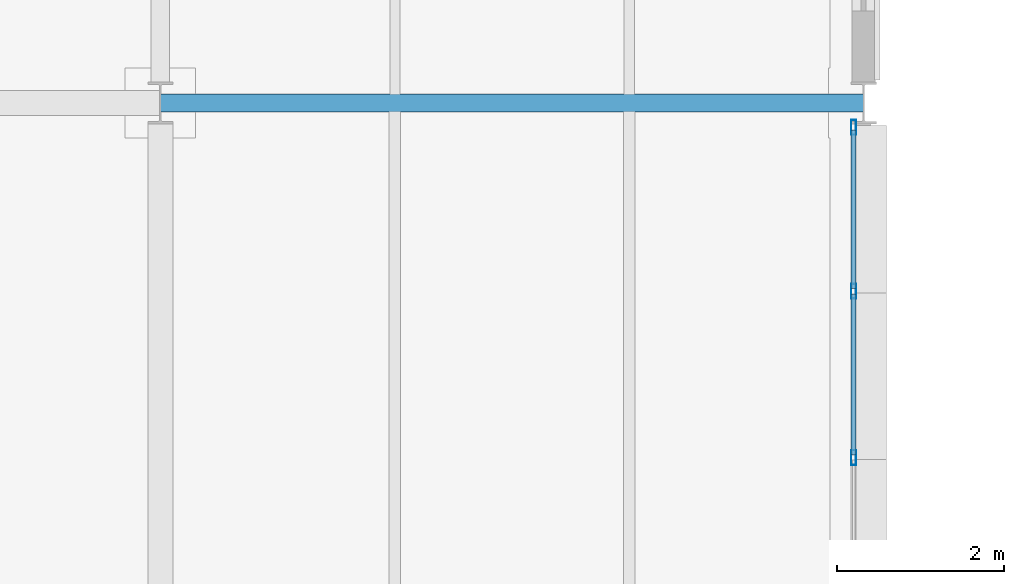
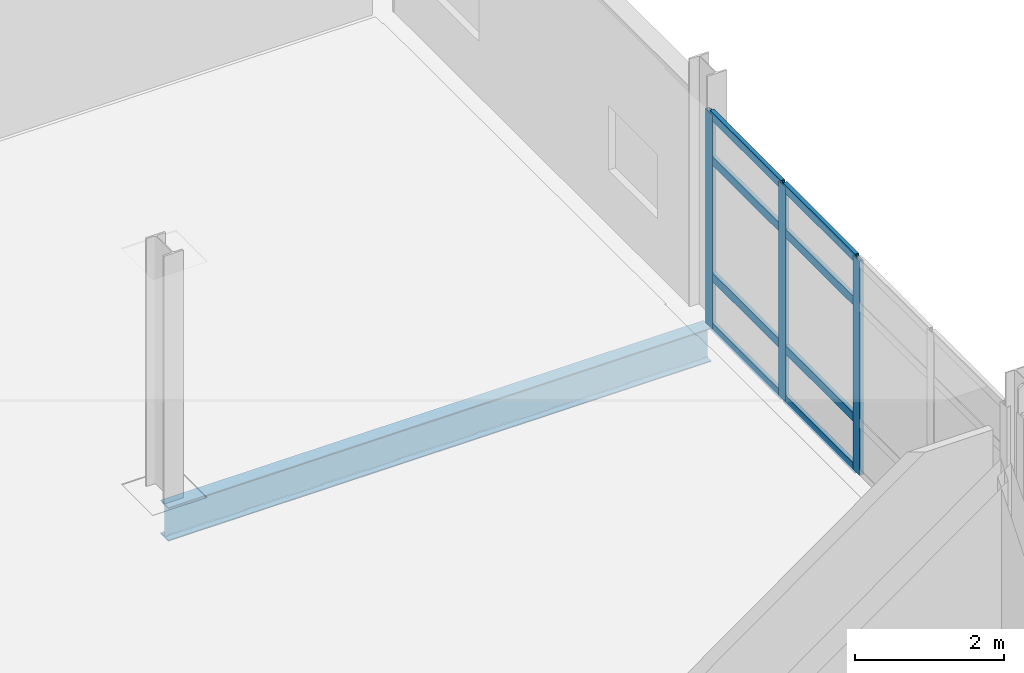
# One storey, part 74 of 131: 11 members, 1 beam, 1 element without a shape of its own.
"""IFC4 building model written with IfcOpenShell, lengths in metres."""

from ifc_helpers import new_model, si_unit, direction, frame, origin, origin_2d, place, context, subcontext, project, spatial, hollow_rectangle, i_section, extrude, material, material_profile, profile_set, type_object, element, aggregate, save


model = new_model("IFC4")

# Units and contexts
model_context = context("Model", 3, precision=1e-05, world=origin(), true_north=direction((0.0, 1.0)))
body_context = subcontext(model_context, "Body", "Model", "MODEL_VIEW")
ifc_project = project(units=[si_unit("LENGTHUNIT", "METRE"), si_unit("AREAUNIT", "SQUARE_METRE"), si_unit("VOLUMEUNIT", "CUBIC_METRE"), si_unit("PLANEANGLEUNIT", "RADIAN"), si_unit("MASSUNIT", "GRAM", prefix="KILO")], contexts=[model_context])

# Site, building, storey
site_placement = place(None, origin())
site = spatial("IfcSite", under=ifc_project, at=site_placement, CompositionType="ELEMENT")
building_placement = place(site_placement, origin())
building = spatial("IfcBuilding", under=site, at=building_placement, Name="Mersafa Astral City Hall", CompositionType="ELEMENT")
storey_placement = place(building_placement, frame((0.0, 0.0, 13.949951171875)))
storey = spatial("IfcBuildingStorey", under=building, at=storey_placement, Name="L03", CompositionType="ELEMENT", Elevation=13.949951171875)

# Curtain wall, members
ifc_material_1 = material(Name="Anodised bronze aluminium framing", Category="aluminium")
curtain_wall_type = type_object("IfcCurtainWallType", Name="ENV-CW-2", PredefinedType="USERDEFINED", material=ifc_material_1)
curtain_wall_placement = place(storey_placement, origin())
curtain_wall = element("IfcCurtainWall", 1, at=curtain_wall_placement, inside=storey, type_object=curtain_wall_type, Name="L03 Unitised solar curtain wall 157", ObjectType="UNITISED CURTAIN WALL", PredefinedType="USERDEFINED")
ifc_material_profile_1 = material_profile(ifc_material_1, hollow_rectangle(XDim=0.06005859375, YDim=0.179931640625, WallThickness=0.00390625, at=origin_2d()), Name="RHS 60x180x4")
ifc_profile_set_1 = profile_set([ifc_material_profile_1], Name="Anodised bronze aluminium framing")
member_type_1 = type_object("IfcMemberType", Name="ENV-CW-MUL-1", PredefinedType="MULLION", material=ifc_profile_set_1)
member_1_placement = place(storey_placement, frame((117.47998046875, 104.965087890625, -0.001953125), z_axis=(0.0, 0.0, 1.0), x_axis=(-1.0, 0.0, 0.0)))
member_1 = element("IfcMember", 2, at=member_1_placement, type_object=member_type_1, Name="CW-2 mullion 3", PredefinedType="MULLION", context=body_context, shape_type="SweptSolid", body=[
    extrude(hollow_rectangle(XDim=0.06005859375, YDim=0.179931640625, WallThickness=0.00390625, at=origin_2d()), origin(), (0.0, 0.0, 1.0), 3.50390625),
])
member_2_placement = place(storey_placement, frame((117.47998046875, 106.951416015625, -0.001953125), z_axis=(0.0, 0.0, 1.0), x_axis=(-1.0, 0.0, 0.0)))
member_2 = element("IfcMember", 3, at=member_2_placement, type_object=member_type_1, Name="CW-2 mullion 4", PredefinedType="MULLION", context=body_context, shape_type="SweptSolid", body=[
    extrude(hollow_rectangle(XDim=0.06005859375, YDim=0.179931640625, WallThickness=0.00390625, at=origin_2d()), origin(), (0.0, 0.0, 1.0), 3.50390625),
])
member_3_placement = place(storey_placement, frame((117.47998046875, 108.907958984375, -0.001953125), z_axis=(0.0, 0.0, 1.0), x_axis=(-1.0, 0.0, 0.0)))
member_3 = element("IfcMember", 4, at=member_3_placement, type_object=member_type_1, Name="CW-2 mullion 5", PredefinedType="MULLION", context=body_context, shape_type="SweptSolid", body=[
    extrude(hollow_rectangle(XDim=0.06005859375, YDim=0.179931640625, WallThickness=0.00390625, at=origin_2d()), origin(), (0.0, 0.0, 1.0), 3.50390625),
])
ifc_material_profile_2 = material_profile(ifc_material_1, hollow_rectangle(XDim=0.06005859375, YDim=0.139892578125, WallThickness=0.00390625, at=origin_2d()), Name="RHS 60x140x4")
ifc_profile_set_2 = profile_set([ifc_material_profile_2], Name="Anodised bronze aluminium framing")
member_type_2 = type_object("IfcMemberType", Name="ENV-CW-TRN-1", PredefinedType="USERDEFINED", material=ifc_profile_set_2)
member_4_placement = place(storey_placement, frame((117.47998046875, 104.9951171875, 0.028076171875), z_axis=(0.0, 1.0, 0.0), x_axis=(-1.0, 0.0, 0.0)))
member_4 = element("IfcMember", 5, at=member_4_placement, type_object=member_type_2, Name="CW-2 transom 3.1", ObjectType="TRANSOM", PredefinedType="USERDEFINED", context=body_context, shape_type="SweptSolid", body=[
    extrude(hollow_rectangle(XDim=0.06005859375, YDim=0.139892578125, WallThickness=0.00390625, at=origin_2d()), origin(), (0.0, 0.0, 1.0), 1.92626953125),
])
member_5_placement = place(storey_placement, frame((117.47998046875, 104.9951171875, 0.85009765625), z_axis=(0.0, 1.0, 0.0), x_axis=(-1.0, 0.0, 0.0)))
member_5 = element("IfcMember", 6, at=member_5_placement, type_object=member_type_2, Name="CW-2 transom 3.2", ObjectType="TRANSOM", PredefinedType="USERDEFINED", context=body_context, shape_type="SweptSolid", body=[
    extrude(hollow_rectangle(XDim=0.06005859375, YDim=0.139892578125, WallThickness=0.00390625, at=origin_2d()), origin(), (0.0, 0.0, 1.0), 1.92626953125),
])
member_6_placement = place(storey_placement, frame((117.47998046875, 104.9951171875, 2.75), z_axis=(0.0, 1.0, 0.0), x_axis=(-1.0, 0.0, 0.0)))
member_6 = element("IfcMember", 7, at=member_6_placement, type_object=member_type_2, Name="CW-2 transom 3.3", ObjectType="TRANSOM", PredefinedType="USERDEFINED", context=body_context, shape_type="SweptSolid", body=[
    extrude(hollow_rectangle(XDim=0.06005859375, YDim=0.139892578125, WallThickness=0.00390625, at=origin_2d()), origin(), (0.0, 0.0, 1.0), 1.92626953125),
])
member_7_placement = place(storey_placement, frame((117.47998046875, 104.9951171875, 3.47216796875), z_axis=(0.0, 1.0, 0.0), x_axis=(-1.0, 0.0, 0.0)))
member_7 = element("IfcMember", 8, at=member_7_placement, type_object=member_type_2, Name="CW-2 transom 3.4", ObjectType="TRANSOM", PredefinedType="USERDEFINED", context=body_context, shape_type="SweptSolid", body=[
    extrude(hollow_rectangle(XDim=0.06005859375, YDim=0.139892578125, WallThickness=0.00390625, at=origin_2d()), origin(), (0.0, 0.0, 1.0), 1.92626953125),
])
member_8_placement = place(storey_placement, frame((117.47998046875, 106.9814453125, 0.028076171875), z_axis=(0.0, 1.0, 0.0), x_axis=(-1.0, 0.0, 0.0)))
member_8 = element("IfcMember", 9, at=member_8_placement, type_object=member_type_2, Name="CW-2 transom 4.1", ObjectType="TRANSOM", PredefinedType="USERDEFINED", context=body_context, shape_type="SweptSolid", body=[
    extrude(hollow_rectangle(XDim=0.06005859375, YDim=0.139892578125, WallThickness=0.00390625, at=origin_2d()), origin(), (0.0, 0.0, 1.0), 1.896484375),
])
member_9_placement = place(storey_placement, frame((117.47998046875, 106.9814453125, 0.85009765625), z_axis=(0.0, 1.0, 0.0), x_axis=(-1.0, 0.0, 0.0)))
member_9 = element("IfcMember", 10, at=member_9_placement, type_object=member_type_2, Name="CW-2 transom 4.2", ObjectType="TRANSOM", PredefinedType="USERDEFINED", context=body_context, shape_type="SweptSolid", body=[
    extrude(hollow_rectangle(XDim=0.06005859375, YDim=0.139892578125, WallThickness=0.00390625, at=origin_2d()), origin(), (0.0, 0.0, 1.0), 1.896484375),
])
member_10_placement = place(storey_placement, frame((117.47998046875, 106.9814453125, 2.75), z_axis=(0.0, 1.0, 0.0), x_axis=(-1.0, 0.0, 0.0)))
member_10 = element("IfcMember", 11, at=member_10_placement, type_object=member_type_2, Name="CW-2 transom 4.3", ObjectType="TRANSOM", PredefinedType="USERDEFINED", context=body_context, shape_type="SweptSolid", body=[
    extrude(hollow_rectangle(XDim=0.06005859375, YDim=0.139892578125, WallThickness=0.00390625, at=origin_2d()), origin(), (0.0, 0.0, 1.0), 1.896484375),
])
member_11_placement = place(storey_placement, frame((117.47998046875, 106.9814453125, 3.47216796875), z_axis=(0.0, 1.0, 0.0), x_axis=(-1.0, 0.0, 0.0)))
member_11 = element("IfcMember", 12, at=member_11_placement, type_object=member_type_2, Name="CW-2 transom 4.4", ObjectType="TRANSOM", PredefinedType="USERDEFINED", context=body_context, shape_type="SweptSolid", body=[
    extrude(hollow_rectangle(XDim=0.06005859375, YDim=0.139892578125, WallThickness=0.00390625, at=origin_2d()), origin(), (0.0, 0.0, 1.0), 1.896484375),
])
aggregate(curtain_wall, [member_1, member_2, member_3, member_4, member_5, member_6, member_7, member_8, member_9, member_10, member_11])

# Beam
ifc_material_2 = material(Name="Steel S355", Category="steel")
ifc_material_profile_3 = material_profile(ifc_material_2, i_section(OverallWidth=0.2099609375, OverallDepth=0.550048828125, WebThickness=0.010986328125, FlangeThickness=0.01708984375, FilletRadius=0.02392578125, at=origin_2d()), Name="IPE 550")
ifc_profile_set_3 = profile_set([ifc_material_profile_3], Name="Steel S355")
beam_type = type_object("IfcBeamType", Name="STR-BM-IPE550", PredefinedType="BEAM", material=ifc_profile_set_3)
beam_placement = place(storey_placement, frame((109.202880859375, 109.199951171875, -0.474853515625), z_axis=(1.0, 0.0, 0.0), x_axis=(0.0, 1.0, 0.0)))
element("IfcBeam", 13, at=beam_placement, inside=storey, type_object=beam_type, Name="L03 Primary girder X 13-13", PredefinedType="BEAM", context=body_context, shape_type="SweptSolid", body=[
    extrude(i_section(OverallWidth=0.2099609375, OverallDepth=0.550048828125, WebThickness=0.010986328125, FlangeThickness=0.01708984375, FilletRadius=0.02392578125, at=origin_2d()), origin(), (0.0, 0.0, 1.0), 8.39404296875),
])

save(model, "model.ifc")
